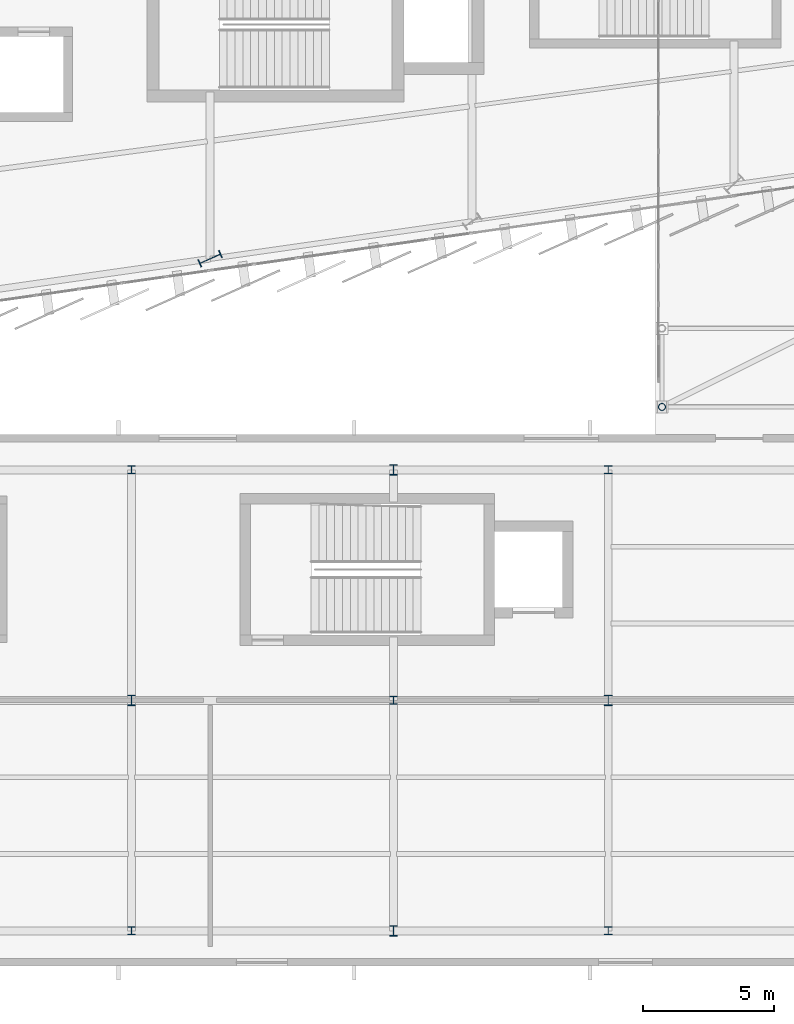
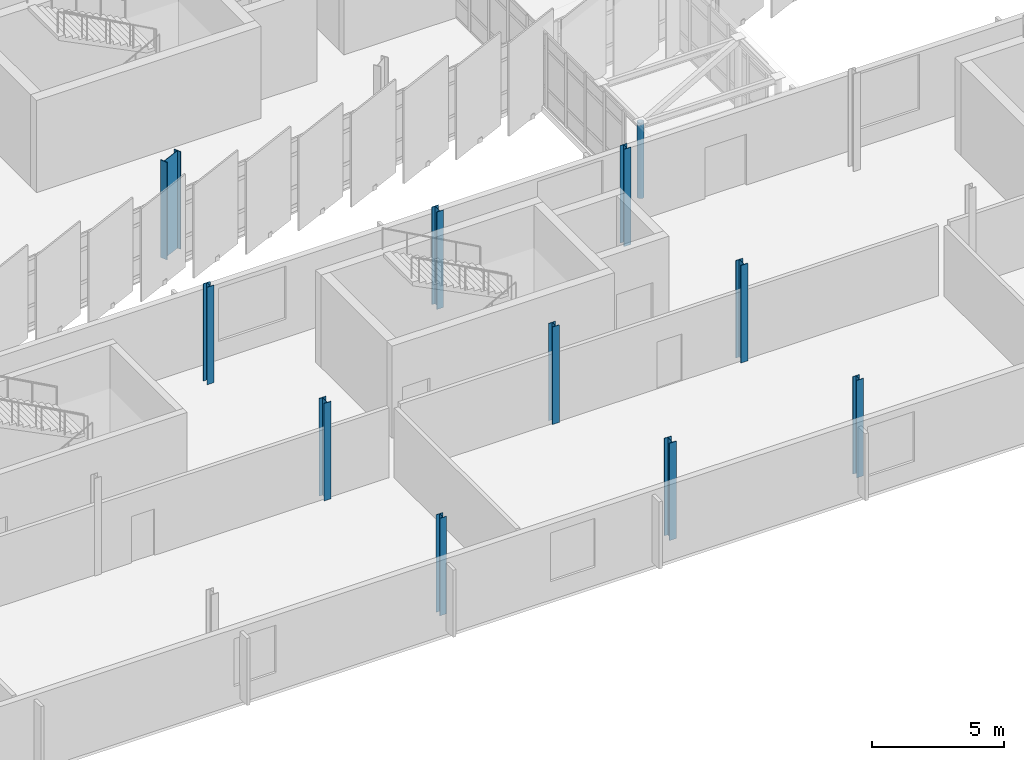
# One storey, part 6 of 125: 11 columns.
"""IFC4 building model written with IfcOpenShell, lengths in metres."""

import ifcopenshell
import ifcopenshell.guid

model = None  # the IFC model being written
_history = None  # IfcOwnerHistory: only IFC2X3 demands one
_inside = {}  # id of a spatial element -> (the spatial element, [elements in it])
_under = {}  # id of a project, library or spatial element -> (it, [spatial elements below it])
_declared = {}  # id of a project -> (the project, [libraries it declares])
_typed = {}  # id of a type object -> (the type object, [elements of that type])
_made_of = {}  # id of a material, layer set ... -> (it, [elements and type objects made of it])


def new_model(schema):
    """Start an empty IFC model of exactly this schema.

    Asked for "IFC4X3", IfcOpenShell would pick the latest addendum, in which some entities
    have other attributes; the version numbers below select the first issue.
    IFC2X3 requires an IfcOwnerHistory on every rooted entity: one is made here for all.
    """
    global model, _history
    if schema == "IFC4X3":
        model = ifcopenshell.file(schema_version=(4, 3, 0, 0))
    else:
        model = ifcopenshell.file(schema=schema)
    _inside.clear()
    _under.clear()
    _declared.clear()
    _typed.clear()
    _made_of.clear()
    _history = None
    if model.schema == "IFC2X3":
        org = make("IfcOrganization", Name="unknown")
        user = make(
            "IfcPersonAndOrganization",
            ThePerson=make("IfcPerson", FamilyName="unknown"),
            TheOrganization=org,
        )
        app = make(
            "IfcApplication",
            ApplicationDeveloper=org,
            Version="unknown",
            ApplicationFullName="unknown",
            ApplicationIdentifier="unknown",
        )
        _history = make(
            "IfcOwnerHistory",
            OwningUser=user,
            OwningApplication=app,
            ChangeAction="ADDED",
            CreationDate=0,
        )
    return model


def make(cls, **values):
    """One entity of the class cls with the attributes given. An attribute that is None is left unset."""
    return model.create_entity(
        cls, **{name: value for name, value in values.items() if value is not None}
    )


def rooted(cls, **values):
    """An entity with a GlobalId (a new one), such as an element, a storey or a relation."""
    return make(cls, GlobalId=ifcopenshell.guid.new(), OwnerHistory=_history, **values)


def si_unit(unit_type, name, prefix=None):
    """IfcSIUnit, for example si_unit("LENGTHUNIT", "METRE", prefix="MILLI")."""
    return make("IfcSIUnit", UnitType=unit_type, Prefix=prefix, Name=name)


def assignment(units):
    """IfcUnitAssignment: the units of a project."""
    return None if units is None else make("IfcUnitAssignment", Units=units)


def point(xyz):
    """IfcCartesianPoint."""
    return None if xyz is None else make("IfcCartesianPoint", Coordinates=xyz)


def direction(xyz):
    """IfcDirection."""
    return None if xyz is None else make("IfcDirection", DirectionRatios=xyz)


def frame(location, z_axis=None, x_axis=None):
    """IfcAxis2Placement3D, a coordinate frame: its origin and axes. An axis left out is left unset."""
    return make(
        "IfcAxis2Placement3D",
        Location=point(location),
        Axis=direction(z_axis),
        RefDirection=direction(x_axis),
    )


def frame_2d(location, x_axis=None):
    """IfcAxis2Placement2D, a coordinate frame in the plane: its origin and x axis."""
    return make(
        "IfcAxis2Placement2D", Location=point(location), RefDirection=direction(x_axis)
    )


def origin():
    """The frame at (0, 0, 0) with its axes left unset."""
    return frame((0.0, 0.0, 0.0))


def origin_2d():
    """The frame at (0, 0) in the plane with its x axis left unset."""
    return frame_2d((0.0, 0.0))


def place(relative_to, where):
    """IfcLocalPlacement: puts the frame where relative to a parent placement (None: the world)."""
    return make(
        "IfcLocalPlacement", PlacementRelTo=relative_to, RelativePlacement=where
    )


def context(
    kind, dimensions, precision=None, world=None, true_north=None, identifier=None
):
    """IfcGeometricRepresentationContext, for example the 3D "Model" context."""
    return make(
        "IfcGeometricRepresentationContext",
        ContextIdentifier=identifier,
        ContextType=kind,
        CoordinateSpaceDimension=dimensions,
        Precision=precision,
        WorldCoordinateSystem=world,
        TrueNorth=true_north,
    )


def subcontext(parent, identifier, kind, view, scale=None):
    """IfcGeometricRepresentationSubContext, for example "Body" below "Model"."""
    return make(
        "IfcGeometricRepresentationSubContext",
        ContextIdentifier=identifier,
        ContextType=kind,
        ParentContext=parent,
        TargetScale=scale,
        TargetView=view,
    )


def project(units=None, contexts=None):
    """IfcProject with its units and contexts."""
    return rooted(
        "IfcProject",
        Name="project",
        RepresentationContexts=contexts,
        UnitsInContext=assignment(units),
    )


def spatial(cls, under=None, at=None, **own):
    """A site, building, storey or space (cls), placed at a placement, below another one or the project."""
    s = rooted(cls, ObjectPlacement=at, **own)
    if under is not None:
        _under.setdefault(under.id(), (under, []))[1].append(s)
    return s


def profile(cls, at=None, kind="AREA", **sizes):
    """A parametric profile (cls). Its sizes go by their IFC names, for example OverallWidth=200.0."""
    return make(cls, ProfileType=kind, Position=at, **sizes)


def hollow_circle(**sizes):
    """IfcCircleHollowProfileDef."""
    return profile("IfcCircleHollowProfileDef", **sizes)


def i_section(**sizes):
    """IfcIShapeProfileDef."""
    return profile("IfcIShapeProfileDef", **sizes)


def extrude(swept, where, along, depth):
    """IfcExtrudedAreaSolid: the profile swept, set in the frame where, extruded along a direction by depth."""
    return make(
        "IfcExtrudedAreaSolid",
        SweptArea=swept,
        Position=where,
        ExtrudedDirection=direction(along),
        Depth=depth,
    )


def shape(context_of_items, identifier, shape_type, items):
    """IfcShapeRepresentation: the items that make up one representation, for example the "Body"."""
    return make(
        "IfcShapeRepresentation",
        ContextOfItems=context_of_items,
        RepresentationIdentifier=identifier,
        RepresentationType=shape_type,
        Items=items,
    )


def material(Name=None, Category=None):
    """IfcMaterial."""
    return make("IfcMaterial", Name=Name, Category=Category)


def material_profile(
    of_material, cross_section, Name=None, Category=None, Priority=None
):
    """IfcMaterialProfile: a cross section and its material."""
    return make(
        "IfcMaterialProfile",
        Name=Name,
        Material=of_material,
        Profile=cross_section,
        Priority=Priority,
        Category=Category,
    )


def profile_set(profiles, Name=None, composite=None):
    """IfcMaterialProfileSet."""
    return make(
        "IfcMaterialProfileSet",
        Name=Name,
        MaterialProfiles=profiles,
        CompositeProfile=composite,
    )


def made_of(thing, what):
    """Note that an element or type object is made of a material, layer set ...; save() writes the relation."""
    if what is not None:
        _made_of.setdefault(what.id(), (what, []))[1].append(thing)
    return thing


def type_object(cls, material=None, **own):
    """A type object (cls), such as IfcWallType, which elements share."""
    return made_of(rooted(cls, **own), material)


def element(
    cls,
    number,
    at=None,
    inside=None,
    cuts=None,
    type_object=None,
    material=None,
    context=None,
    identifier="Body",
    shape_type=None,
    held_by="IfcProductDefinitionShape",
    body=None,
    shapes=None,
    **own,
):
    """One element of the class cls, such as IfcWall. Its Tag is "e" and its number.

    at: its placement. inside: the storey or other place that contains it. cuts: it is an
    opening in that element (IfcRelVoidsElement). A single representation is given by context,
    identifier, shape_type and body (its items); several are given by shapes. held_by: the class
    of the entity that holds the representations. save() writes the other relations.
    """
    e = rooted(cls, Tag="e%d" % number, ObjectPlacement=at, **own)
    if body is not None:
        shapes = [shape(context, identifier, shape_type, body)]
    if shapes is not None:
        e.Representation = make(held_by, Representations=shapes)
    if inside is not None:
        _inside.setdefault(inside.id(), (inside, []))[1].append(e)
    if cuts is not None:
        rooted(
            "IfcRelVoidsElement", RelatingBuildingElement=cuts, RelatedOpeningElement=e
        )
    if type_object is not None:
        _typed.setdefault(type_object.id(), (type_object, []))[1].append(e)
    return made_of(e, material)


def aggregate(whole, parts):
    """IfcRelAggregates: a whole, such as a stair, and the parts it consists of."""
    return rooted("IfcRelAggregates", RelatingObject=whole, RelatedObjects=parts)


def save(model, path):
    """Write the relations noted so far, then the file.

    IfcRelAggregates (storeys below a building ...), IfcRelContainedInSpatialStructure (elements
    in a storey), IfcRelDefinesByType, IfcRelAssociatesMaterial and IfcRelDeclares: one each for
    every whole, place, type object, material and project.
    """
    for whole, parts in _under.values():
        aggregate(whole, parts)
    for where, things in _inside.values():
        rooted(
            "IfcRelContainedInSpatialStructure",
            RelatedElements=things,
            RelatingStructure=where,
        )
    for kind, things in _typed.values():
        rooted("IfcRelDefinesByType", RelatedObjects=things, RelatingType=kind)
    for what, things in _made_of.values():
        rooted("IfcRelAssociatesMaterial", RelatedObjects=things, RelatingMaterial=what)
    for by, libraries in _declared.values():
        rooted("IfcRelDeclares", RelatingContext=by, RelatedDefinitions=libraries)
    model.write(path)


model = new_model("IFC4")

# Units and contexts
model_context = context("Model", 3, precision=1e-05, world=origin(), true_north=direction((0.0, 1.0)))
body_context = subcontext(model_context, "Body", "Model", "MODEL_VIEW")
ifc_project = project(units=[si_unit("LENGTHUNIT", "METRE"), si_unit("AREAUNIT", "SQUARE_METRE"), si_unit("VOLUMEUNIT", "CUBIC_METRE"), si_unit("PLANEANGLEUNIT", "RADIAN"), si_unit("MASSUNIT", "GRAM", prefix="KILO")], contexts=[model_context])

# Site, building, storey
site_placement = place(None, origin())
site = spatial("IfcSite", under=ifc_project, at=site_placement, CompositionType="ELEMENT")
building_placement = place(site_placement, origin())
building = spatial("IfcBuilding", under=site, at=building_placement, Name="Sohan Crest Arena", CompositionType="ELEMENT")
storey_placement = place(building_placement, frame((0.0, 0.0, 9.0)))
storey = spatial("IfcBuildingStorey", under=building, at=storey_placement, Name="L02", CompositionType="ELEMENT", Elevation=9.0)

# Columns
ifc_material = material(Name="Steel S355", Category="steel")
ifc_material_profile_1 = material_profile(ifc_material, i_section(OverallWidth=0.300048828125, OverallDepth=0.300048828125, WebThickness=0.010986328125, FlangeThickness=0.01904296875, at=origin_2d()), Name="HEB 300")
ifc_profile_set_1 = profile_set([ifc_material_profile_1], Name="Steel S355")
column_type_1 = type_object("IfcColumnType", Name="STR-COL-C17", PredefinedType="COLUMN", material=ifc_profile_set_1)
for number, where, z_axis, x_axis, name in (
    (1, (115.0, 7.199951171875, 0.0), (0.0, 0.0, 1.0), (1.0, 0.0, 0.0), "Structural column COL-V5C-05-1-L02"),
    (2, (115.0, 24.800048828125, 0.0), (0.0, 0.0, 1.0), (1.0, 0.0, 0.0), "Structural column COL-V5C-05-3-L02"),
    (3, (125.0, 16.0, 0.0), (0.0, 0.0, 1.0), (1.0, 0.0, 0.0), "Structural column COL-V5C-06-2-L02"),
    (4, (133.199951171875, 7.199951171875, 0.0), (0.0, 0.0, 1.0), (1.0, 0.0, 0.0), "Structural column COL-V5C-07-1-L02"),
    (5, (133.199951171875, 24.800048828125, 0.0), (0.0, 0.0, 1.0), (1.0, 0.0, 0.0), "Structural column COL-V5C-07-3-L02"),
):
    element("IfcColumn", number, at=place(storey_placement, frame(where, z_axis=z_axis, x_axis=x_axis)), inside=storey, type_object=column_type_1, Name=name, PredefinedType="COLUMN", context=body_context, shape_type="SweptSolid", body=[
        extrude(i_section(OverallWidth=0.300048828125, OverallDepth=0.300048828125, WebThickness=0.010986328125, FlangeThickness=0.01904296875, at=origin_2d()), origin(), (0.0, 0.0, 1.0), 4.5),
    ])
ifc_material_profile_2 = material_profile(ifc_material, i_section(OverallWidth=0.300048828125, OverallDepth=0.39990234375, WebThickness=0.013427734375, FlangeThickness=0.02392578125, at=origin_2d()), Name="HEB 400")
ifc_profile_set_2 = profile_set([ifc_material_profile_2], Name="Steel S355")
column_type_2 = type_object("IfcColumnType", Name="STR-COL-C18", PredefinedType="COLUMN", material=ifc_profile_set_2)
for number, where, z_axis, x_axis, name in (
    (6, (115.0, 16.0, 0.0), (0.0, 0.0, 1.0), (1.0, 0.0, 0.0), "Structural column COL-V5C-05-2-L02"),
    (7, (125.0, 7.199951171875, 0.0), (0.0, 0.0, 1.0), (1.0, 0.0, 0.0), "Structural column COL-V5C-06-1-L02"),
    (8, (125.0, 24.800048828125, 0.0), (0.0, 0.0, 1.0), (1.0, 0.0, 0.0), "Structural column COL-V5C-06-3-L02"),
    (9, (133.199951171875, 16.0, 0.0), (0.0, 0.0, 1.0), (1.0, 0.0, 0.0), "Structural column COL-V5C-07-2-L02"),
):
    element("IfcColumn", number, at=place(storey_placement, frame(where, z_axis=z_axis, x_axis=x_axis)), inside=storey, type_object=column_type_2, Name=name, PredefinedType="COLUMN", context=body_context, shape_type="SweptSolid", body=[
        extrude(i_section(OverallWidth=0.300048828125, OverallDepth=0.39990234375, WebThickness=0.013427734375, FlangeThickness=0.02392578125, at=origin_2d()), origin(), (0.0, 0.0, 1.0), 4.5),
    ])
ifc_material_profile_3 = material_profile(ifc_material, i_section(OverallWidth=0.300048828125, OverallDepth=0.89990234375, WebThickness=0.0185546875, FlangeThickness=0.034912109375, at=origin_2d()), Name="HEB 900")
ifc_profile_set_3 = profile_set([ifc_material_profile_3], Name="Steel S355")
column_type_3 = type_object("IfcColumnType", Name="STR-COL-C23", PredefinedType="COLUMN", material=ifc_profile_set_3)
column_1_placement = place(storey_placement, frame((118.0, 32.85693359375, 0.0), z_axis=(0.0, 0.0, 1.0), x_axis=(-0.40514158678, 0.914253955234, 0.0)))
element("IfcColumn", 10, at=column_1_placement, inside=storey, type_object=column_type_3, Name="Structural column COL-V2O-15-L02", PredefinedType="COLUMN", context=body_context, shape_type="SweptSolid", body=[
    extrude(i_section(OverallWidth=0.300048828125, OverallDepth=0.89990234375, WebThickness=0.0185546875, FlangeThickness=0.034912109375, at=origin_2d()), origin(), (0.0, 0.0, 1.0), 4.5),
])
ifc_material_profile_4 = material_profile(ifc_material, hollow_circle(Radius=0.136474609375, WallThickness=0.012451171875, at=origin_2d()), Name="CHS 273x12.5")
ifc_profile_set_4 = profile_set([ifc_material_profile_4], Name="Steel S355")
column_type_4 = type_object("IfcColumnType", Name="STR-COL-C25", PredefinedType="COLUMN", material=ifc_profile_set_4)
column_2_placement = place(storey_placement, frame((135.25, 27.199951171875, 0.0), z_axis=(0.0, 0.0, 1.0), x_axis=(1.0, 0.0, 0.0)))
element("IfcColumn", 11, at=column_2_placement, inside=storey, type_object=column_type_4, Name="Structural column COL-BC-BR-S2-1-L02", PredefinedType="COLUMN", context=body_context, shape_type="SweptSolid", body=[
    extrude(hollow_circle(Radius=0.136474609375, WallThickness=0.012451171875, at=origin_2d()), origin(), (0.0, 0.0, 1.0), 3.47509765625),
])

save(model, "model.ifc")
